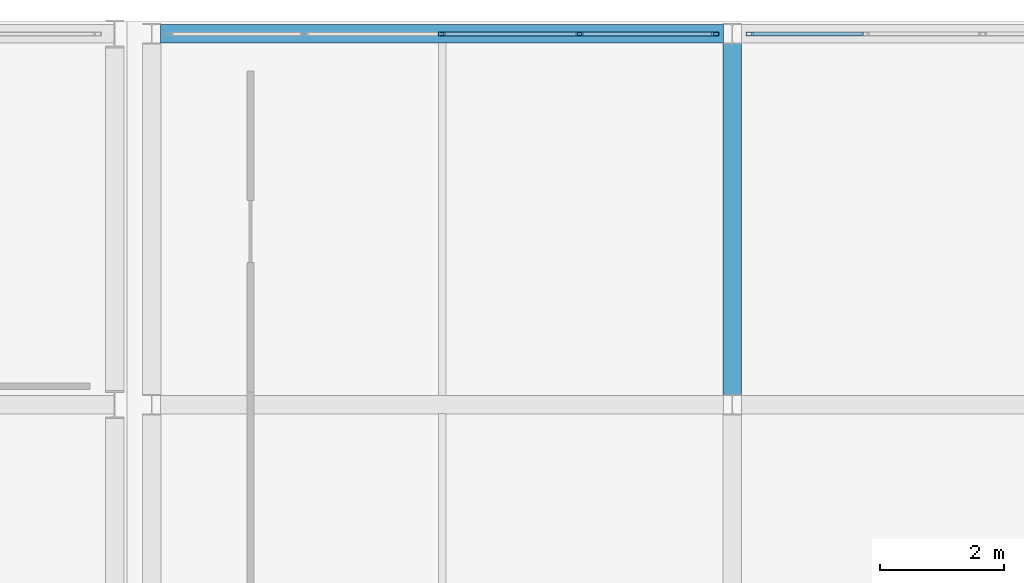
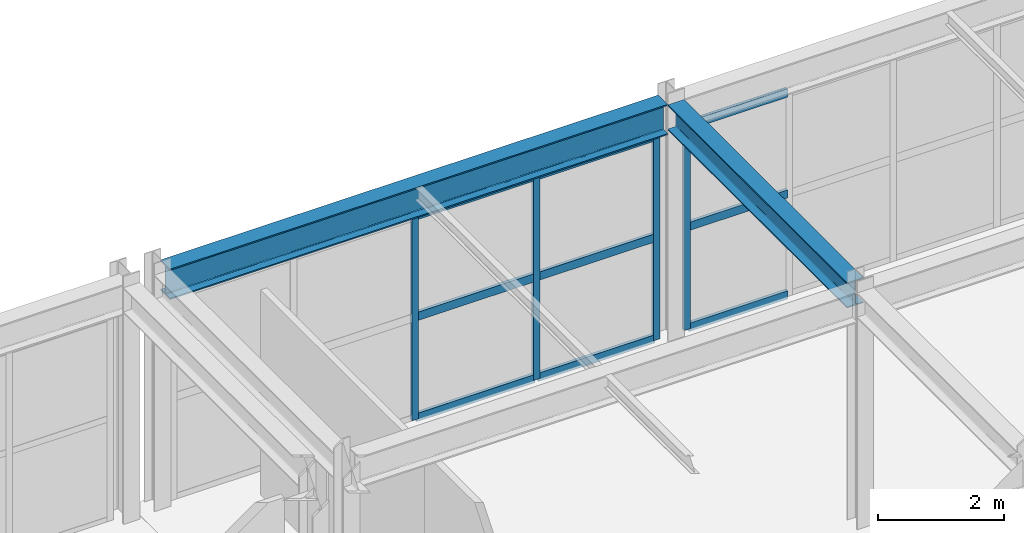
# One storey, part 84 of 112: 13 members, 2 beams, 2 elements without a shape of their own.
"""IFC4 building model written with IfcOpenShell, lengths in metres."""

from ifc_helpers import new_model, si_unit, direction, frame, origin, origin_2d, place, context, subcontext, project, spatial, hollow_rectangle, i_section, extrude, material, material_profile, profile_set, type_object, element, aggregate, save


model = new_model("IFC4")

# Units and contexts
model_context = context("Model", 3, precision=1e-05, world=origin(), true_north=direction((0.0, 1.0)))
body_context = subcontext(model_context, "Body", "Model", "MODEL_VIEW")
ifc_project = project(units=[si_unit("LENGTHUNIT", "METRE"), si_unit("AREAUNIT", "SQUARE_METRE"), si_unit("VOLUMEUNIT", "CUBIC_METRE"), si_unit("PLANEANGLEUNIT", "RADIAN"), si_unit("MASSUNIT", "GRAM", prefix="KILO")], contexts=[model_context])

# Site, building, storey
site_placement = place(None, origin())
site = spatial("IfcSite", under=ifc_project, at=site_placement, CompositionType="ELEMENT")
building_placement = place(site_placement, origin())
building = spatial("IfcBuilding", under=site, at=building_placement, Name="Kaldris Quays Convention Centre", CompositionType="ELEMENT")
storey_placement = place(building_placement, frame((0.0, 0.0, 16.800048828125)))
storey = spatial("IfcBuildingStorey", under=building, at=storey_placement, Name="L03", CompositionType="ELEMENT", Elevation=16.800048828125)

# Curtain wall, members
ifc_material_1 = material(Name="Anodized aluminium AW-6060 and triple glazing", Category="aluminium")
curtain_wall_type = type_object("IfcCurtainWallType", Name="UNITISED CURTAIN WALL CW06", PredefinedType="NOTDEFINED", material=ifc_material_1)
curtain_wall_1_placement = place(storey_placement, origin())
curtain_wall_1 = element("IfcCurtainWall", 1, at=curtain_wall_1_placement, inside=storey, type_object=curtain_wall_type, Name="L03 Unitised Curtain Wall CW06 173", PredefinedType="NOTDEFINED")
ifc_material_2 = material(Name="Anodized aluminium AW-6060", Category="aluminium")
ifc_material_profile_1 = material_profile(ifc_material_2, hollow_rectangle(XDim=0.06005859375, YDim=0.1201171875, WallThickness=0.00390625, at=origin_2d()), Name="RHS 120x60x4")
ifc_profile_set_1 = profile_set([ifc_material_profile_1], Name="Anodized aluminium AW-6060")
member_type_1 = type_object("IfcMemberType", Name="CURTAIN MULLION CWM3", PredefinedType="MULLION", material=ifc_profile_set_1)
member_1_placement = place(storey_placement, frame((169.300048828125, 116.0, 0.0), z_axis=(0.0, 0.0, 1.0), x_axis=(0.0, 1.0, 0.0)))
member_1 = element("IfcMember", 2, at=member_1_placement, type_object=member_type_1, Name="CW06 mullion 3", PredefinedType="MULLION", context=body_context, shape_type="SweptSolid", body=[
    extrude(hollow_rectangle(XDim=0.06005859375, YDim=0.1201171875, WallThickness=0.00390625, at=origin_2d()), origin(), (0.0, 0.0, 1.0), 3.967041015625),
])
member_2_placement = place(storey_placement, frame((171.52490234375, 116.0, 0.0), z_axis=(0.0, 0.0, 1.0), x_axis=(0.0, 1.0, 0.0)))
member_2 = element("IfcMember", 3, at=member_2_placement, type_object=member_type_1, Name="CW06 mullion 4", PredefinedType="MULLION", context=body_context, shape_type="SweptSolid", body=[
    extrude(hollow_rectangle(XDim=0.06005859375, YDim=0.1201171875, WallThickness=0.00390625, at=origin_2d()), origin(), (0.0, 0.0, 1.0), 3.967041015625),
])
member_3_placement = place(storey_placement, frame((173.719970703125, 116.0, 0.0), z_axis=(0.0, 0.0, 1.0), x_axis=(0.0, 1.0, 0.0)))
member_3 = element("IfcMember", 4, at=member_3_placement, type_object=member_type_1, Name="CW06 mullion 5", PredefinedType="MULLION", context=body_context, shape_type="SweptSolid", body=[
    extrude(hollow_rectangle(XDim=0.06005859375, YDim=0.1201171875, WallThickness=0.00390625, at=origin_2d()), origin(), (0.0, 0.0, 1.0), 3.967041015625),
])

# Curtain wall, member
curtain_wall_2_placement = place(storey_placement, origin())
curtain_wall_2 = element("IfcCurtainWall", 5, at=curtain_wall_2_placement, inside=storey, type_object=curtain_wall_type, Name="L03 Unitised Curtain Wall CW06 175", PredefinedType="NOTDEFINED")
member_4_placement = place(storey_placement, frame((174.280029296875, 116.0, 0.0), z_axis=(0.0, 0.0, 1.0), x_axis=(0.0, 1.0, 0.0)))
member_4 = element("IfcMember", 6, at=member_4_placement, type_object=member_type_1, Name="CW06 mullion 1", PredefinedType="MULLION", context=body_context, shape_type="SweptSolid", body=[
    extrude(hollow_rectangle(XDim=0.06005859375, YDim=0.1201171875, WallThickness=0.00390625, at=origin_2d()), origin(), (0.0, 0.0, 1.0), 3.967041015625),
])

# Member
ifc_material_profile_2 = material_profile(ifc_material_2, hollow_rectangle(XDim=0.06005859375, YDim=0.159912109375, WallThickness=0.00390625, at=origin_2d()), Name="RHS 160x60x4")
ifc_profile_set_2 = profile_set([ifc_material_profile_2], Name="Anodized aluminium AW-6060")
member_type_2 = type_object("IfcMemberType", Name="CURTAIN TRANSOM CWT2", PredefinedType="USERDEFINED", material=ifc_profile_set_2)
member_5_placement = place(storey_placement, frame((169.330078125, 116.0, 0.030029296875), z_axis=(1.0, 0.0, 0.0), x_axis=(0.0, 1.0, 0.0)))
member_5 = element("IfcMember", 7, at=member_5_placement, type_object=member_type_2, Name="CW06 transom 3.1", ObjectType="TRANSOM", PredefinedType="USERDEFINED", context=body_context, shape_type="SweptSolid", body=[
    extrude(hollow_rectangle(XDim=0.06005859375, YDim=0.159912109375, WallThickness=0.00390625, at=origin_2d()), origin(), (0.0, 0.0, 1.0), 2.1650390625),
])

member_6_placement = place(storey_placement, frame((169.330078125, 116.0, 1.98388671875), z_axis=(1.0, 0.0, 0.0), x_axis=(0.0, 1.0, 0.0)))
member_6 = element("IfcMember", 8, at=member_6_placement, type_object=member_type_2, Name="CW06 transom 3.2", ObjectType="TRANSOM", PredefinedType="USERDEFINED", context=body_context, shape_type="SweptSolid", body=[
    extrude(hollow_rectangle(XDim=0.06005859375, YDim=0.159912109375, WallThickness=0.00390625, at=origin_2d()), origin(), (0.0, 0.0, 1.0), 2.1650390625),
])

member_7_placement = place(storey_placement, frame((169.330078125, 116.0, 3.93701171875), z_axis=(1.0, 0.0, 0.0), x_axis=(0.0, 1.0, 0.0)))
member_7 = element("IfcMember", 9, at=member_7_placement, type_object=member_type_2, Name="CW06 transom 3.3", ObjectType="TRANSOM", PredefinedType="USERDEFINED", context=body_context, shape_type="SweptSolid", body=[
    extrude(hollow_rectangle(XDim=0.06005859375, YDim=0.159912109375, WallThickness=0.00390625, at=origin_2d()), origin(), (0.0, 0.0, 1.0), 2.1650390625),
])

member_8_placement = place(storey_placement, frame((171.554931640625, 116.0, 0.030029296875), z_axis=(1.0, 0.0, 0.0), x_axis=(0.0, 1.0, 0.0)))
member_8 = element("IfcMember", 10, at=member_8_placement, type_object=member_type_2, Name="CW06 transom 4.1", ObjectType="TRANSOM", PredefinedType="USERDEFINED", context=body_context, shape_type="SweptSolid", body=[
    extrude(hollow_rectangle(XDim=0.06005859375, YDim=0.159912109375, WallThickness=0.00390625, at=origin_2d()), origin(), (0.0, 0.0, 1.0), 2.135009765625),
])

member_9_placement = place(storey_placement, frame((171.554931640625, 116.0, 1.98388671875), z_axis=(1.0, 0.0, 0.0), x_axis=(0.0, 1.0, 0.0)))
member_9 = element("IfcMember", 11, at=member_9_placement, type_object=member_type_2, Name="CW06 transom 4.2", ObjectType="TRANSOM", PredefinedType="USERDEFINED", context=body_context, shape_type="SweptSolid", body=[
    extrude(hollow_rectangle(XDim=0.06005859375, YDim=0.159912109375, WallThickness=0.00390625, at=origin_2d()), origin(), (0.0, 0.0, 1.0), 2.135009765625),
])

member_10_placement = place(storey_placement, frame((171.554931640625, 116.0, 3.93701171875), z_axis=(1.0, 0.0, 0.0), x_axis=(0.0, 1.0, 0.0)))
member_10 = element("IfcMember", 12, at=member_10_placement, type_object=member_type_2, Name="CW06 transom 4.3", ObjectType="TRANSOM", PredefinedType="USERDEFINED", context=body_context, shape_type="SweptSolid", body=[
    extrude(hollow_rectangle(XDim=0.06005859375, YDim=0.159912109375, WallThickness=0.00390625, at=origin_2d()), origin(), (0.0, 0.0, 1.0), 2.135009765625),
])

aggregate(curtain_wall_1, [member_1, member_2, member_3, member_5, member_6, member_7, member_8, member_9, member_10])

member_11_placement = place(storey_placement, frame((174.31005859375, 116.0, 0.030029296875), z_axis=(1.0, 0.0, 0.0), x_axis=(0.0, 1.0, 0.0)))
member_11 = element("IfcMember", 13, at=member_11_placement, type_object=member_type_2, Name="CW06 transom 1.1", ObjectType="TRANSOM", PredefinedType="USERDEFINED", context=body_context, shape_type="SweptSolid", body=[
    extrude(hollow_rectangle(XDim=0.06005859375, YDim=0.159912109375, WallThickness=0.00390625, at=origin_2d()), origin(), (0.0, 0.0, 1.0), 1.81005859375),
])

member_12_placement = place(storey_placement, frame((174.31005859375, 116.0, 1.98388671875), z_axis=(1.0, 0.0, 0.0), x_axis=(0.0, 1.0, 0.0)))
member_12 = element("IfcMember", 14, at=member_12_placement, type_object=member_type_2, Name="CW06 transom 1.2", ObjectType="TRANSOM", PredefinedType="USERDEFINED", context=body_context, shape_type="SweptSolid", body=[
    extrude(hollow_rectangle(XDim=0.06005859375, YDim=0.159912109375, WallThickness=0.00390625, at=origin_2d()), origin(), (0.0, 0.0, 1.0), 1.81005859375),
])

member_13_placement = place(storey_placement, frame((174.31005859375, 116.0, 3.93701171875), z_axis=(1.0, 0.0, 0.0), x_axis=(0.0, 1.0, 0.0)))
member_13 = element("IfcMember", 15, at=member_13_placement, type_object=member_type_2, Name="CW06 transom 1.3", ObjectType="TRANSOM", PredefinedType="USERDEFINED", context=body_context, shape_type="SweptSolid", body=[
    extrude(hollow_rectangle(XDim=0.06005859375, YDim=0.159912109375, WallThickness=0.00390625, at=origin_2d()), origin(), (0.0, 0.0, 1.0), 1.81005859375),
])

aggregate(curtain_wall_2, [member_4, member_11, member_12, member_13])

# Beams
ifc_material_3 = material(Name="Steel S355J2", Category="steel")
ifc_material_profile_3 = material_profile(ifc_material_3, i_section(OverallWidth=0.300048828125, OverallDepth=0.590087890625, WebThickness=0.012939453125, FlangeThickness=0.02490234375, FilletRadius=0.027099609375, at=origin_2d()), Name="HEA 600")
ifc_profile_set_3 = profile_set([ifc_material_profile_3], Name="Steel S355J2")
beam_type_1 = type_object("IfcBeamType", Name="STRUCTURAL BEAM BM08", PredefinedType="BEAM", material=ifc_profile_set_3)
beam_1_placement = place(storey_placement, frame((164.743896484375, 116.0, 4.286865234375), z_axis=(1.0, 0.0, 0.0), x_axis=(0.0, 1.0, 0.0)))
element("IfcBeam", 16, at=beam_1_placement, inside=storey, type_object=beam_type_1, Name="L03 Girder BM08 53", PredefinedType="BEAM", context=body_context, shape_type="SweptSolid", body=[
    extrude(i_section(OverallWidth=0.300048828125, OverallDepth=0.590087890625, WebThickness=0.012939453125, FlangeThickness=0.02490234375, FilletRadius=0.027099609375, at=origin_2d()), origin(), (0.0, 0.0, 1.0), 9.112060546875),
])
ifc_material_profile_4 = material_profile(ifc_material_3, i_section(OverallWidth=0.300048828125, OverallDepth=0.489990234375, WebThickness=0.011962890625, FlangeThickness=0.02294921875, FilletRadius=0.027099609375, at=origin_2d()), Name="HEA 500")
ifc_profile_set_4 = profile_set([ifc_material_profile_4], Name="Steel S355J2")
beam_type_2 = type_object("IfcBeamType", Name="STRUCTURAL BEAM BM09", PredefinedType="BEAM", material=ifc_profile_set_4)
beam_2_placement = place(storey_placement, frame((174.0, 110.158935546875, 4.3369140625), z_axis=(0.0, 1.0, 0.0), x_axis=(-1.0, 0.0, 0.0)))
element("IfcBeam", 17, at=beam_2_placement, inside=storey, type_object=beam_type_2, Name="L03 Girder BM09 105", PredefinedType="BEAM", context=body_context, shape_type="SweptSolid", body=[
    extrude(i_section(OverallWidth=0.300048828125, OverallDepth=0.489990234375, WebThickness=0.011962890625, FlangeThickness=0.02294921875, FilletRadius=0.027099609375, at=origin_2d()), origin(), (0.0, 0.0, 1.0), 5.68212890625),
])

save(model, "model.ifc")
